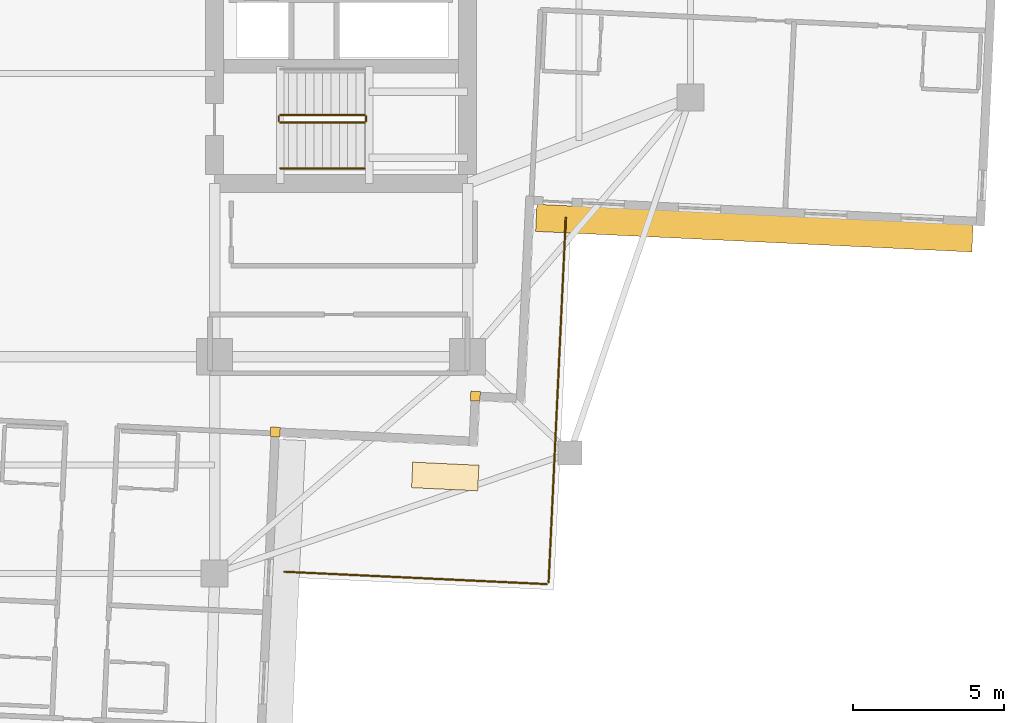
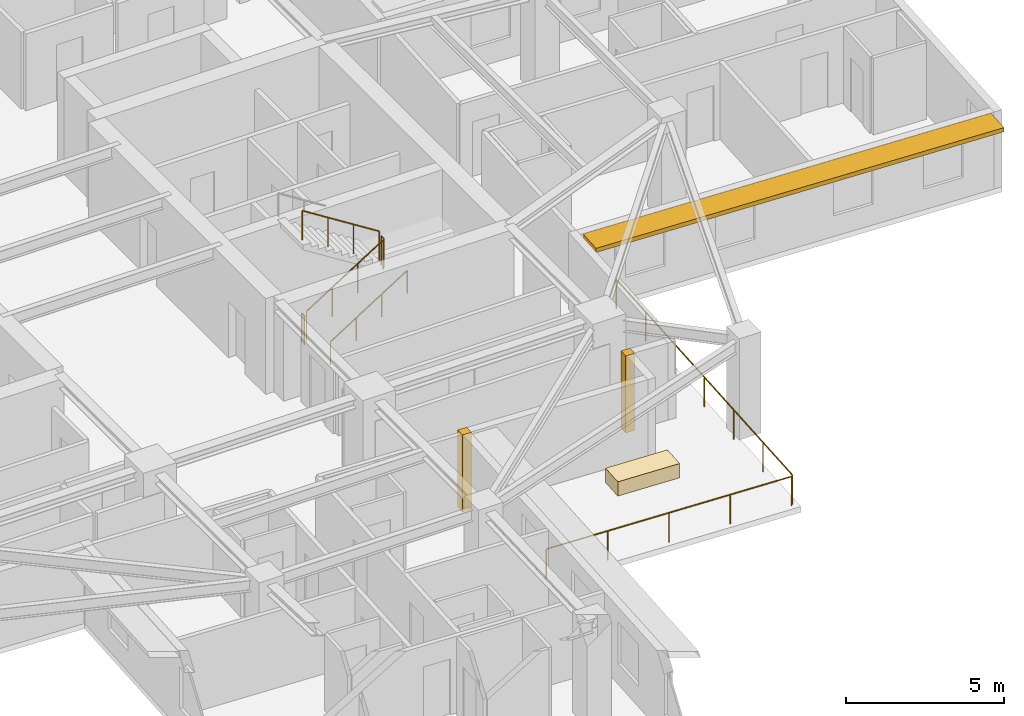
# One storey, part 12 of 14: 7 railings, 3 coverings, 1 shading device.
"""IFC4 building model written with IfcOpenShell, lengths in metres."""

import ifcopenshell
import ifcopenshell.guid

model = None  # the IFC model being written
_history = None  # IfcOwnerHistory: only IFC2X3 demands one
_inside = {}  # id of a spatial element -> (the spatial element, [elements in it])
_under = {}  # id of a project, library or spatial element -> (it, [spatial elements below it])
_declared = {}  # id of a project -> (the project, [libraries it declares])
_typed = {}  # id of a type object -> (the type object, [elements of that type])
_made_of = {}  # id of a material, layer set ... -> (it, [elements and type objects made of it])


def new_model(schema):
    """Start an empty IFC model of exactly this schema.

    Asked for "IFC4X3", IfcOpenShell would pick the latest addendum, in which some entities
    have other attributes; the version numbers below select the first issue.
    IFC2X3 requires an IfcOwnerHistory on every rooted entity: one is made here for all.
    """
    global model, _history
    if schema == "IFC4X3":
        model = ifcopenshell.file(schema_version=(4, 3, 0, 0))
    else:
        model = ifcopenshell.file(schema=schema)
    _inside.clear()
    _under.clear()
    _declared.clear()
    _typed.clear()
    _made_of.clear()
    _history = None
    if model.schema == "IFC2X3":
        org = make("IfcOrganization", Name="unknown")
        user = make(
            "IfcPersonAndOrganization",
            ThePerson=make("IfcPerson", FamilyName="unknown"),
            TheOrganization=org,
        )
        app = make(
            "IfcApplication",
            ApplicationDeveloper=org,
            Version="unknown",
            ApplicationFullName="unknown",
            ApplicationIdentifier="unknown",
        )
        _history = make(
            "IfcOwnerHistory",
            OwningUser=user,
            OwningApplication=app,
            ChangeAction="ADDED",
            CreationDate=0,
        )
    return model


def make(cls, **values):
    """One entity of the class cls with the attributes given. An attribute that is None is left unset."""
    return model.create_entity(
        cls, **{name: value for name, value in values.items() if value is not None}
    )


def rooted(cls, **values):
    """An entity with a GlobalId (a new one), such as an element, a storey or a relation."""
    return make(cls, GlobalId=ifcopenshell.guid.new(), OwnerHistory=_history, **values)


def si_unit(unit_type, name, prefix=None):
    """IfcSIUnit, for example si_unit("LENGTHUNIT", "METRE", prefix="MILLI")."""
    return make("IfcSIUnit", UnitType=unit_type, Prefix=prefix, Name=name)


def assignment(units):
    """IfcUnitAssignment: the units of a project."""
    return None if units is None else make("IfcUnitAssignment", Units=units)


def point(xyz):
    """IfcCartesianPoint."""
    return None if xyz is None else make("IfcCartesianPoint", Coordinates=xyz)


def direction(xyz):
    """IfcDirection."""
    return None if xyz is None else make("IfcDirection", DirectionRatios=xyz)


def frame(location, z_axis=None, x_axis=None):
    """IfcAxis2Placement3D, a coordinate frame: its origin and axes. An axis left out is left unset."""
    return make(
        "IfcAxis2Placement3D",
        Location=point(location),
        Axis=direction(z_axis),
        RefDirection=direction(x_axis),
    )


def frame_2d(location, x_axis=None):
    """IfcAxis2Placement2D, a coordinate frame in the plane: its origin and x axis."""
    return make(
        "IfcAxis2Placement2D", Location=point(location), RefDirection=direction(x_axis)
    )


def origin():
    """The frame at (0, 0, 0) with its axes left unset."""
    return frame((0.0, 0.0, 0.0))


def origin_2d():
    """The frame at (0, 0) in the plane with its x axis left unset."""
    return frame_2d((0.0, 0.0))


def place(relative_to, where):
    """IfcLocalPlacement: puts the frame where relative to a parent placement (None: the world)."""
    return make(
        "IfcLocalPlacement", PlacementRelTo=relative_to, RelativePlacement=where
    )


def context(
    kind, dimensions, precision=None, world=None, true_north=None, identifier=None
):
    """IfcGeometricRepresentationContext, for example the 3D "Model" context."""
    return make(
        "IfcGeometricRepresentationContext",
        ContextIdentifier=identifier,
        ContextType=kind,
        CoordinateSpaceDimension=dimensions,
        Precision=precision,
        WorldCoordinateSystem=world,
        TrueNorth=true_north,
    )


def subcontext(parent, identifier, kind, view, scale=None):
    """IfcGeometricRepresentationSubContext, for example "Body" below "Model"."""
    return make(
        "IfcGeometricRepresentationSubContext",
        ContextIdentifier=identifier,
        ContextType=kind,
        ParentContext=parent,
        TargetScale=scale,
        TargetView=view,
    )


def project(units=None, contexts=None):
    """IfcProject with its units and contexts."""
    return rooted(
        "IfcProject",
        Name="project",
        RepresentationContexts=contexts,
        UnitsInContext=assignment(units),
    )


def spatial(cls, under=None, at=None, **own):
    """A site, building, storey or space (cls), placed at a placement, below another one or the project."""
    s = rooted(cls, ObjectPlacement=at, **own)
    if under is not None:
        _under.setdefault(under.id(), (under, []))[1].append(s)
    return s


def profile(cls, at=None, kind="AREA", **sizes):
    """A parametric profile (cls). Its sizes go by their IFC names, for example OverallWidth=200.0."""
    return make(cls, ProfileType=kind, Position=at, **sizes)


def rectangle(**sizes):
    """IfcRectangleProfileDef."""
    return profile("IfcRectangleProfileDef", **sizes)


def circle(**sizes):
    """IfcCircleProfileDef."""
    return profile("IfcCircleProfileDef", **sizes)


def extrude(swept, where, along, depth):
    """IfcExtrudedAreaSolid: the profile swept, set in the frame where, extruded along a direction by depth."""
    return make(
        "IfcExtrudedAreaSolid",
        SweptArea=swept,
        Position=where,
        ExtrudedDirection=direction(along),
        Depth=depth,
    )


def shape(context_of_items, identifier, shape_type, items):
    """IfcShapeRepresentation: the items that make up one representation, for example the "Body"."""
    return make(
        "IfcShapeRepresentation",
        ContextOfItems=context_of_items,
        RepresentationIdentifier=identifier,
        RepresentationType=shape_type,
        Items=items,
    )


def material(Name=None, Category=None):
    """IfcMaterial."""
    return make("IfcMaterial", Name=Name, Category=Category)


def layer(
    of_material, thickness, ventilated=None, Name=None, Category=None, Priority=None
):
    """IfcMaterialLayer: one layer of a wall or slab, of a material (None: an air gap)."""
    return make(
        "IfcMaterialLayer",
        Material=of_material,
        LayerThickness=thickness,
        IsVentilated=ventilated,
        Name=Name,
        Category=Category,
        Priority=Priority,
    )


def layer_set(layers, Name=None):
    """IfcMaterialLayerSet."""
    return make("IfcMaterialLayerSet", MaterialLayers=layers, LayerSetName=Name)


def made_of(thing, what):
    """Note that an element or type object is made of a material, layer set ...; save() writes the relation."""
    if what is not None:
        _made_of.setdefault(what.id(), (what, []))[1].append(thing)
    return thing


def type_object(cls, material=None, **own):
    """A type object (cls), such as IfcWallType, which elements share."""
    return made_of(rooted(cls, **own), material)


def element(
    cls,
    number,
    at=None,
    inside=None,
    cuts=None,
    type_object=None,
    material=None,
    context=None,
    identifier="Body",
    shape_type=None,
    held_by="IfcProductDefinitionShape",
    body=None,
    shapes=None,
    **own,
):
    """One element of the class cls, such as IfcWall. Its Tag is "e" and its number.

    at: its placement. inside: the storey or other place that contains it. cuts: it is an
    opening in that element (IfcRelVoidsElement). A single representation is given by context,
    identifier, shape_type and body (its items); several are given by shapes. held_by: the class
    of the entity that holds the representations. save() writes the other relations.
    """
    e = rooted(cls, Tag="e%d" % number, ObjectPlacement=at, **own)
    if body is not None:
        shapes = [shape(context, identifier, shape_type, body)]
    if shapes is not None:
        e.Representation = make(held_by, Representations=shapes)
    if inside is not None:
        _inside.setdefault(inside.id(), (inside, []))[1].append(e)
    if cuts is not None:
        rooted(
            "IfcRelVoidsElement", RelatingBuildingElement=cuts, RelatedOpeningElement=e
        )
    if type_object is not None:
        _typed.setdefault(type_object.id(), (type_object, []))[1].append(e)
    return made_of(e, material)


def aggregate(whole, parts):
    """IfcRelAggregates: a whole, such as a stair, and the parts it consists of."""
    return rooted("IfcRelAggregates", RelatingObject=whole, RelatedObjects=parts)


def save(model, path):
    """Write the relations noted so far, then the file.

    IfcRelAggregates (storeys below a building ...), IfcRelContainedInSpatialStructure (elements
    in a storey), IfcRelDefinesByType, IfcRelAssociatesMaterial and IfcRelDeclares: one each for
    every whole, place, type object, material and project.
    """
    for whole, parts in _under.values():
        aggregate(whole, parts)
    for where, things in _inside.values():
        rooted(
            "IfcRelContainedInSpatialStructure",
            RelatedElements=things,
            RelatingStructure=where,
        )
    for kind, things in _typed.values():
        rooted("IfcRelDefinesByType", RelatedObjects=things, RelatingType=kind)
    for what, things in _made_of.values():
        rooted("IfcRelAssociatesMaterial", RelatedObjects=things, RelatingMaterial=what)
    for by, libraries in _declared.values():
        rooted("IfcRelDeclares", RelatingContext=by, RelatedDefinitions=libraries)
    model.write(path)


model = new_model("IFC4")

# Units and contexts
model_context = context("Model", 3, precision=1e-05, world=origin(), true_north=direction((0.0, 1.0)))
body_context = subcontext(model_context, "Body", "Model", "MODEL_VIEW")
ifc_project = project(units=[si_unit("LENGTHUNIT", "METRE"), si_unit("AREAUNIT", "SQUARE_METRE"), si_unit("VOLUMEUNIT", "CUBIC_METRE"), si_unit("PLANEANGLEUNIT", "RADIAN"), si_unit("MASSUNIT", "GRAM", prefix="KILO")], contexts=[model_context])

# Site, building, storey
site_placement = place(None, origin())
site = spatial("IfcSite", under=ifc_project, at=site_placement, CompositionType="ELEMENT")
building_placement = place(site_placement, origin())
building = spatial("IfcBuilding", under=site, at=building_placement, Name="Qingluan Cross Belvedere", CompositionType="ELEMENT")
storey_placement = place(building_placement, frame((0.0, 0.0, 172.199951171875)))
storey = spatial("IfcBuildingStorey", under=building, at=storey_placement, Name="L43", CompositionType="ELEMENT", Elevation=172.199951171875)

# Coverings
ifc_material_1 = material(Name="Precast concrete C45", Category="concrete")
ifc_layer_1 = layer(ifc_material_1, 0.1201171875, Name="ConcreteSpandrelCladding_120")
ifc_layer_set_1 = layer_set([ifc_layer_1], Name="Precast concrete C45")
covering_type_1 = type_object("IfcCoveringType", Name="ConcreteSpandrelCladding_120", PredefinedType="CLADDING", material=ifc_layer_set_1)
for number, where, z_axis, x_axis, name in (
    (1, (12.65869140625, -13.911865234375, 0.0), (0.0, 0.0, 1.0), (0.998889874962, -0.04710645071, 0.0), "Corner closure L43-SE1"),
    (2, (6.015380859375, -15.10009765625, 0.0), (0.0, 0.0, 1.0), (0.998889874962, -0.04710645071, 0.0), "Corner closure L43-SE2"),
):
    element("IfcCovering", number, at=place(storey_placement, frame(where, z_axis=z_axis, x_axis=x_axis)), inside=storey, type_object=covering_type_1, Name=name, PredefinedType="CLADDING", context=body_context, shape_type="SweptSolid", body=[
        extrude(rectangle(XDim=0.320068359375, YDim=0.320068359375, at=origin_2d()), origin(), (0.0, 0.0, 1.0), 2.969970703125),
    ])

# Shading device
ifc_material_2 = material(Name="Precast concrete C45", Category="concrete")
ifc_layer_2 = layer(ifc_material_2, 0.159912109375, Name="ConcreteSunshadeBand_900")
ifc_layer_set_2 = layer_set([ifc_layer_2], Name="Precast concrete C45")
shading_device_type = type_object("IfcShadingDeviceType", Name="ConcreteSunshadeBand_900", PredefinedType="USERDEFINED", material=ifc_layer_set_2)
shading_device_placement = place(storey_placement, frame((21.921875, -8.331787109375, 2.7900390625), z_axis=(0.0, 0.0, 1.0), x_axis=(0.998889750114, -0.047109098032, 0.0)))
element("IfcShadingDevice", 3, at=shading_device_placement, inside=storey, type_object=shading_device_type, Name="Concrete SUNSHADE L43-EA", ObjectType="SUNSHADE", PredefinedType="USERDEFINED", context=body_context, shape_type="SweptSolid", body=[
    extrude(rectangle(XDim=14.5, YDim=0.89990234375, at=origin_2d()), origin(), (0.0, 0.0, 1.0), 0.159912109375),
])

# Railings
ifc_material_3 = material(Name="Brushed stainless steel tubular handrail", Category="steel")
railing_type_1 = type_object("IfcRailingType", Name="StairPitchHandrail_900", PredefinedType="HANDRAIL", material=ifc_material_3)
railing_1_placement = place(storey_placement, frame((6.179931640625, -6.35009765625, 0.17724609375)))
element("IfcRailing", 4, at=railing_1_placement, inside=storey, type_object=railing_type_1, Name="L43 ST2 stair handrail 1", PredefinedType="HANDRAIL", context=body_context, shape_type="SweptSolid", body=[
    extrude(circle(Radius=0.02392578125, at=origin_2d()), frame((0.0, 0.0, 0.8759765625), z_axis=(0.844908973607, 0.0, 0.534910110503), x_axis=(0.0, 1.0, 0.0)), (0.0, 0.0, 1.0), 3.31396484375),
    extrude(circle(Radius=0.02099609375, at=origin_2d()), origin(), (0.0, 0.0, 1.0), 0.851806640625),
    extrude(circle(Radius=0.02099609375, at=origin_2d()), frame((0.933349609375, 0.0, 0.5908203125)), (0.0, 0.0, 1.0), 0.851806640625),
    extrude(circle(Radius=0.02099609375, at=origin_2d()), frame((1.86669921875, 0.0, 1.181884765625)), (0.0, 0.0, 1.0), 0.851806640625),
    extrude(circle(Radius=0.02099609375, at=origin_2d()), frame((2.800048828125, 0.0, 1.772705078125)), (0.0, 0.0, 1.0), 0.851806640625),
])
ifc_material_4 = material(Name="Painted steel stair well guard", Category="steel")
railing_type_2 = type_object("IfcRailingType", Name="StairWellGuard_1150", PredefinedType="BALUSTRADE", material=ifc_material_4)
railing_2_placement = place(storey_placement, frame((6.179931640625, -4.830078125, 0.17724609375)))
element("IfcRailing", 5, at=railing_2_placement, inside=storey, type_object=railing_type_2, Name="L43 ST2 stair guard 1", PredefinedType="BALUSTRADE", context=body_context, shape_type="SweptSolid", body=[
    extrude(circle(Radius=0.02392578125, at=origin_2d()), frame((0.0, 0.0, 1.1259765625), z_axis=(0.844908973607, 0.0, 0.534910110503), x_axis=(0.0, 1.0, 0.0)), (0.0, 0.0, 1.0), 3.31396484375),
    extrude(circle(Radius=0.02099609375, at=origin_2d()), origin(), (0.0, 0.0, 1.0), 1.101806640625),
    extrude(circle(Radius=0.02099609375, at=origin_2d()), frame((0.933349609375, 0.0, 0.5908203125)), (0.0, 0.0, 1.0), 1.101806640625),
    extrude(circle(Radius=0.02099609375, at=origin_2d()), frame((1.86669921875, 0.0, 1.181884765625)), (0.0, 0.0, 1.0), 1.101806640625),
    extrude(circle(Radius=0.02099609375, at=origin_2d()), frame((2.800048828125, 0.0, 1.772705078125)), (0.0, 0.0, 1.0), 1.101806640625),
])
railing_3_placement = place(storey_placement, frame((9.030029296875, -4.780029296875, 1.949951171875)))
element("IfcRailing", 6, at=railing_3_placement, inside=storey, type_object=railing_type_2, Name="L43 ST2 stair guard 2", PredefinedType="BALUSTRADE", context=body_context, shape_type="SweptSolid", body=[
    extrude(circle(Radius=0.02392578125, at=origin_2d()), frame((0.0, 0.0, 1.1259765625), z_axis=(0.0, 1.0, 0.0), x_axis=(-1.0, 0.0, 0.0)), (0.0, 0.0, 1.0), 0.159912109375),
    extrude(circle(Radius=0.02099609375, at=origin_2d()), origin(), (0.0, 0.0, 1.0), 1.101806640625),
    extrude(circle(Radius=0.02099609375, at=origin_2d()), frame((0.0, 0.159912109375, 0.0)), (0.0, 0.0, 1.0), 1.101806640625),
])
railing_4_placement = place(storey_placement, frame((8.97998046875, -4.570068359375, 2.12744140625)))
element("IfcRailing", 7, at=railing_4_placement, inside=storey, type_object=railing_type_2, Name="L43 ST2 stair guard 3", PredefinedType="BALUSTRADE", context=body_context, shape_type="SweptSolid", body=[
    extrude(circle(Radius=0.02392578125, at=origin_2d()), frame((0.0, 0.0, 1.1259765625), z_axis=(-0.844908973607, 0.0, 0.534910110503), x_axis=(0.0, -1.0, 0.0)), (0.0, 0.0, 1.0), 3.31396484375),
    extrude(circle(Radius=0.02099609375, at=origin_2d()), origin(), (0.0, 0.0, 1.0), 1.101806640625),
    extrude(circle(Radius=0.02099609375, at=origin_2d()), frame((-0.933349609375, 0.0, 0.5908203125)), (0.0, 0.0, 1.0), 1.101806640625),
    extrude(circle(Radius=0.02099609375, at=origin_2d()), frame((-1.86669921875, 0.0, 1.181884765625)), (0.0, 0.0, 1.0), 1.101806640625),
    extrude(circle(Radius=0.02099609375, at=origin_2d()), frame((-2.800048828125, 0.0, 1.772705078125)), (0.0, 0.0, 1.0), 1.101806640625),
])
railing_5_placement = place(storey_placement, frame((6.1298828125, -4.780029296875, 0.0)))
element("IfcRailing", 8, at=railing_5_placement, inside=storey, type_object=railing_type_2, Name="L43 ST2 stair guard 4", PredefinedType="BALUSTRADE", context=body_context, shape_type="SweptSolid", body=[
    extrude(circle(Radius=0.02392578125, at=origin_2d()), frame((0.0, 0.0, 1.1259765625), z_axis=(0.0, 1.0, 0.0), x_axis=(-1.0, 0.0, 0.0)), (0.0, 0.0, 1.0), 0.159912109375),
    extrude(circle(Radius=0.02099609375, at=origin_2d()), origin(), (0.0, 0.0, 1.0), 1.101806640625),
    extrude(circle(Radius=0.02099609375, at=origin_2d()), frame((0.0, 0.159912109375, 0.0)), (0.0, 0.0, 1.0), 1.101806640625),
])
ifc_material_5 = material(Name="Laminated glass and stainless steel balustrade", Category="steel")
railing_type_3 = type_object("IfcRailingType", Name="TerraceGuardBalustrade_1150", PredefinedType="BALUSTRADE", material=ifc_material_5)
railing_6_placement = place(storey_placement, frame((15.6611328125, -7.98681640625, 0.0)))
element("IfcRailing", 9, at=railing_6_placement, inside=storey, type_object=railing_type_3, Name="Terrace guard L43-1", PredefinedType="BALUSTRADE", context=body_context, shape_type="SweptSolid", body=[
    extrude(circle(Radius=0.02392578125, at=origin_2d()), frame((0.0, 0.0, 1.1259765625), z_axis=(-0.047116284841, -0.998889411148, 0.0), x_axis=(0.998889411148, -0.047116284841, 0.0)), (0.0, 0.0, 1.0), 12.119873046875),
    extrude(circle(Radius=0.02099609375, at=origin_2d()), origin(), (0.0, 0.0, 1.0), 1.101806640625),
    extrude(circle(Radius=0.02099609375, at=origin_2d()), frame((-0.09521484375, -2.017822265625, 0.0)), (0.0, 0.0, 1.0), 1.101806640625),
    extrude(circle(Radius=0.02099609375, at=origin_2d()), frame((-0.1904296875, -4.035400390625, 0.0)), (0.0, 0.0, 1.0), 1.101806640625),
    extrude(circle(Radius=0.02099609375, at=origin_2d()), frame((-0.28564453125, -6.05322265625, 0.0)), (0.0, 0.0, 1.0), 1.101806640625),
    extrude(circle(Radius=0.02099609375, at=origin_2d()), frame((-0.380615234375, -8.071044921875, 0.0)), (0.0, 0.0, 1.0), 1.101806640625),
    extrude(circle(Radius=0.02099609375, at=origin_2d()), frame((-0.475830078125, -10.088623046875, 0.0)), (0.0, 0.0, 1.0), 1.101806640625),
    extrude(circle(Radius=0.02099609375, at=origin_2d()), frame((-0.571044921875, -12.1064453125, 0.0)), (0.0, 0.0, 1.0), 1.101806640625),
])
railing_7_placement = place(storey_placement, frame((15.02734375, -20.150390625, 0.0)))
element("IfcRailing", 10, at=railing_7_placement, inside=storey, type_object=railing_type_3, Name="Terrace guard L43-2", PredefinedType="BALUSTRADE", context=body_context, shape_type="SweptSolid", body=[
    extrude(circle(Radius=0.02392578125, at=origin_2d()), frame((0.0, 0.0, 1.1259765625), z_axis=(-0.998889195869, 0.047120848632, 0.0), x_axis=(-0.047120848632, -0.998889195869, 0.0)), (0.0, 0.0, 1.0), 8.719970703125),
    extrude(circle(Radius=0.02099609375, at=origin_2d()), origin(), (0.0, 0.0, 1.0), 1.101806640625),
    extrude(circle(Radius=0.02099609375, at=origin_2d()), frame((-2.177490234375, 0.102783203125, 0.0)), (0.0, 0.0, 1.0), 1.101806640625),
    extrude(circle(Radius=0.02099609375, at=origin_2d()), frame((-4.35498046875, 0.20556640625, 0.0)), (0.0, 0.0, 1.0), 1.101806640625),
    extrude(circle(Radius=0.02099609375, at=origin_2d()), frame((-6.53271484375, 0.30810546875, 0.0)), (0.0, 0.0, 1.0), 1.101806640625),
    extrude(circle(Radius=0.02099609375, at=origin_2d()), frame((-8.710205078125, 0.410888671875, 0.0)), (0.0, 0.0, 1.0), 1.101806640625),
])

# Covering
ifc_material_6 = material(Name="Precast concrete C40", Category="concrete")
ifc_layer_3 = layer(ifc_material_6, 0.550048828125, Name="TerracePlanterBox")
ifc_layer_set_3 = layer_set([ifc_layer_3], Name="Precast concrete C40")
covering_type_2 = type_object("IfcCoveringType", Name="TerracePlanterBox", PredefinedType="USERDEFINED", material=ifc_layer_set_3)
covering_placement = place(storey_placement, frame((11.656982421875, -16.576904296875, 0.0), z_axis=(0.0, 0.0, 1.0), x_axis=(0.998889874962, -0.04710645071, 0.0)))
element("IfcCovering", 11, at=covering_placement, inside=storey, type_object=covering_type_2, Name="Spiralling winter-garden planter L43", ObjectType="PLANTER", PredefinedType="USERDEFINED", context=body_context, shape_type="SweptSolid", body=[
    extrude(rectangle(XDim=2.199951171875, YDim=0.85009765625, at=origin_2d()), origin(), (0.0, 0.0, 1.0), 0.550048828125),
])

save(model, "model.ifc")
